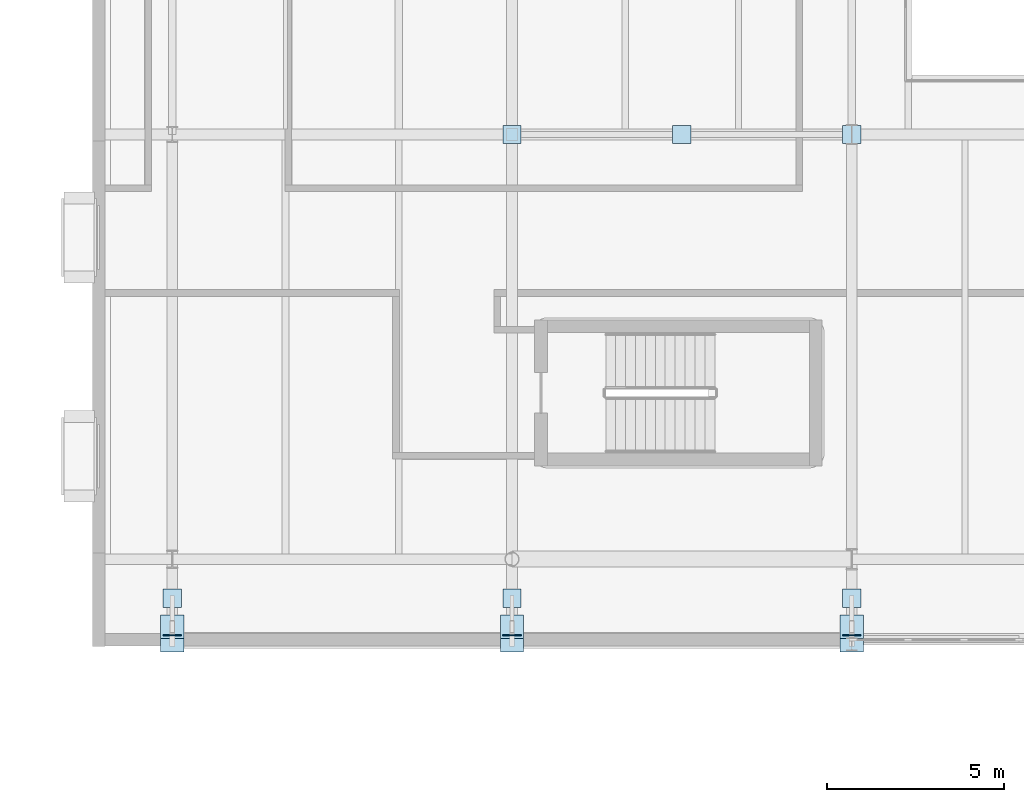
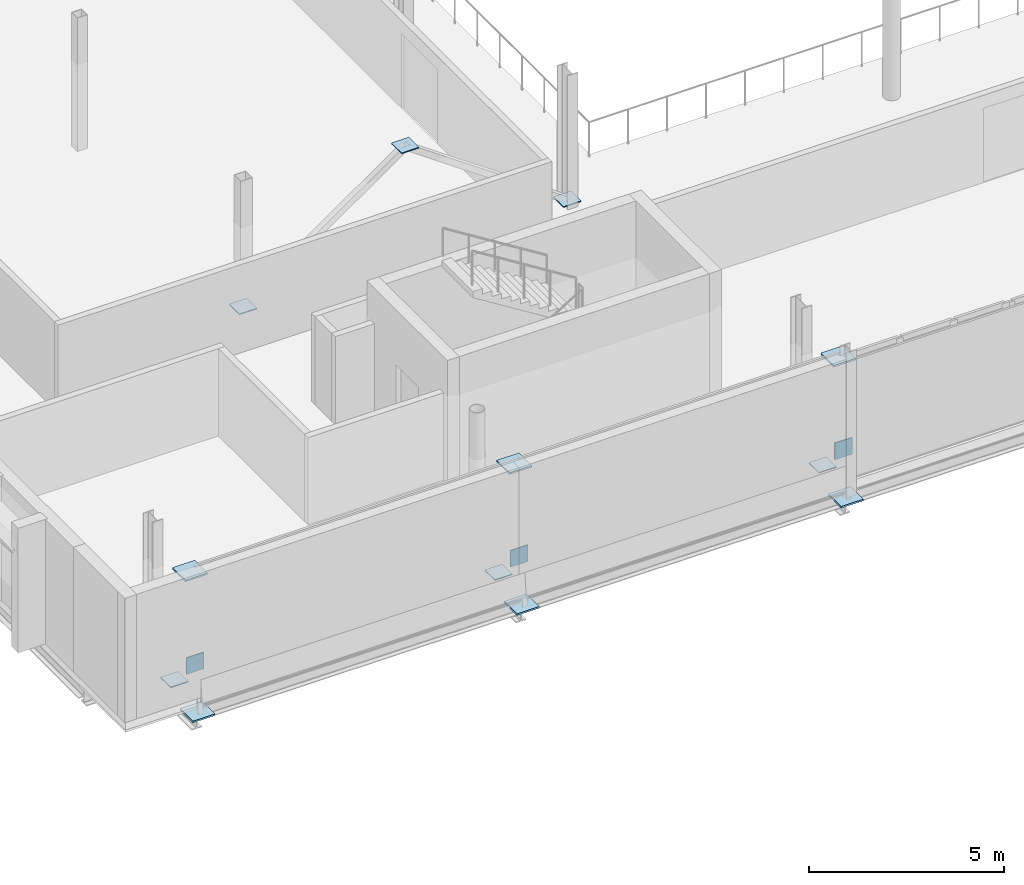
# One storey, part 48 of 90: 15 plates.
"""IFC4 building model written with IfcOpenShell, lengths in metres."""

from ifc_helpers import new_model, si_unit, direction, frame, origin, origin_2d, place, context, subcontext, project, spatial, rectangle, extrude, material, layer, layer_set, type_object, element, save


model = new_model("IFC4")

# Units and contexts
model_context = context("Model", 3, precision=1e-05, world=origin(), true_north=direction((0.0, 1.0)))
body_context = subcontext(model_context, "Body", "Model", "MODEL_VIEW")
ifc_project = project(units=[si_unit("LENGTHUNIT", "METRE"), si_unit("AREAUNIT", "SQUARE_METRE"), si_unit("VOLUMEUNIT", "CUBIC_METRE"), si_unit("PLANEANGLEUNIT", "RADIAN"), si_unit("MASSUNIT", "GRAM", prefix="KILO")], contexts=[model_context])

# Site, building, storey
site_placement = place(None, origin())
site = spatial("IfcSite", under=ifc_project, at=site_placement, CompositionType="ELEMENT")
building_placement = place(site_placement, origin())
building = spatial("IfcBuilding", under=site, at=building_placement, Name="Zereglee Splitstone Museum", CompositionType="ELEMENT")
storey_placement = place(building_placement, frame((0.0, 0.0, 4.800048828125)))
storey = spatial("IfcBuildingStorey", under=building, at=storey_placement, Name="L01", CompositionType="ELEMENT", Elevation=4.800048828125)

# Plates
ifc_material = material(Name="Steel S355J2", Category="steel")
ifc_layer_1 = layer(ifc_material, 0.030029296875)
ifc_layer_set_1 = layer_set([ifc_layer_1], Name="Steel S355J2")
plate_type_1 = type_object("IfcPlateType", Name="NP-04", PredefinedType="SHEET", material=ifc_layer_set_1)
for number, where, z_axis, x_axis, name in (
    (1, (87.60009765625, 21.60009765625, 0.10498046875), (0.0, 0.0, 1.0), (1.0, 0.0, 0.0), "CBF Brace Gusset Cap L01-006"),
    (2, (97.199951171875, 21.60009765625, 0.10498046875), (0.0, 0.0, 1.0), (1.0, 0.0, 0.0), "CBF Brace Gusset Cap L01-006"),
    (3, (92.39990234375, 21.60009765625, 3.46484375), (0.0, 0.0, 1.0), (1.0, 0.0, 0.0), "CBF Brace Gusset Cap L01-006"),
    (4, (78.0, 8.5, -0.27490234375), (0.0, 0.0, 1.0), (1.0, 0.0, 0.0), "Facet Tie Seal Plate FH-V2SW"),
):
    element("IfcPlate", number, at=place(storey_placement, frame(where, z_axis=z_axis, x_axis=x_axis)), inside=storey, type_object=plate_type_1, Name=name, PredefinedType="SHEET", context=body_context, shape_type="SweptSolid", body=[
        extrude(rectangle(XDim=0.52001953125, YDim=0.52001953125, at=origin_2d()), origin(), (0.0, 0.0, 1.0), 0.030029296875),
    ])
plate_1_placement = place(storey_placement, frame((78.0, 7.44580078125, 0.639892578125), z_axis=(0.0, 0.0, 1.0), x_axis=(1.0, 0.0, 0.0)))
element("IfcPlate", 5, at=plate_1_placement, inside=storey, type_object=plate_type_1, Name="Facet Tie Seal Plate FH-V2SW", PredefinedType="SHEET", context=body_context, shape_type="SweptSolid", body=[
    extrude(rectangle(XDim=0.52001953125, YDim=0.030029296875, at=origin_2d()), origin(), (0.0, 0.0, 1.0), 0.52001953125),
])
plate_2_placement = place(storey_placement, frame((87.60009765625, 8.5, -0.27490234375), z_axis=(0.0, 0.0, 1.0), x_axis=(1.0, 0.0, 0.0)))
element("IfcPlate", 6, at=plate_2_placement, inside=storey, type_object=plate_type_1, Name="Facet Tie Seal Plate FH-V2SW", PredefinedType="SHEET", context=body_context, shape_type="SweptSolid", body=[
    extrude(rectangle(XDim=0.52001953125, YDim=0.52001953125, at=origin_2d()), origin(), (0.0, 0.0, 1.0), 0.030029296875),
])
plate_3_placement = place(storey_placement, frame((87.60009765625, 7.44580078125, 0.639892578125), z_axis=(0.0, 0.0, 1.0), x_axis=(1.0, 0.0, 0.0)))
element("IfcPlate", 7, at=plate_3_placement, inside=storey, type_object=plate_type_1, Name="Facet Tie Seal Plate FH-V2SW", PredefinedType="SHEET", context=body_context, shape_type="SweptSolid", body=[
    extrude(rectangle(XDim=0.52001953125, YDim=0.030029296875, at=origin_2d()), origin(), (0.0, 0.0, 1.0), 0.52001953125),
])
plate_4_placement = place(storey_placement, frame((97.199951171875, 8.5, -0.27490234375), z_axis=(0.0, 0.0, 1.0), x_axis=(1.0, 0.0, 0.0)))
element("IfcPlate", 8, at=plate_4_placement, inside=storey, type_object=plate_type_1, Name="Facet Tie Seal Plate FH-V2SW", PredefinedType="SHEET", context=body_context, shape_type="SweptSolid", body=[
    extrude(rectangle(XDim=0.52001953125, YDim=0.52001953125, at=origin_2d()), origin(), (0.0, 0.0, 1.0), 0.030029296875),
])
plate_5_placement = place(storey_placement, frame((97.199951171875, 7.44580078125, 0.639892578125), z_axis=(0.0, 0.0, 1.0), x_axis=(1.0, 0.0, 0.0)))
element("IfcPlate", 9, at=plate_5_placement, inside=storey, type_object=plate_type_1, Name="Facet Tie Seal Plate FH-V2SW", PredefinedType="SHEET", context=body_context, shape_type="SweptSolid", body=[
    extrude(rectangle(XDim=0.52001953125, YDim=0.030029296875, at=origin_2d()), origin(), (0.0, 0.0, 1.0), 0.52001953125),
])
ifc_layer_2 = layer(ifc_material, 0.050048828125)
ifc_layer_set_2 = layer_set([ifc_layer_2], Name="Steel S355J2")
plate_type_2 = type_object("IfcPlateType", Name="NP-02", PredefinedType="SHEET", material=ifc_layer_set_2)
for number, where, z_axis, x_axis, name in (
    (10, (78.0, 7.3134765625, -0.5751953125), (0.0, 0.0, 1.0), (1.0, 0.0, 0.0), "Facet Strut Seal Plate FH-V2SW"),
    (11, (78.0, 7.695068359375, 3.60498046875), (0.0, 0.0, 1.0), (1.0, 0.0, 0.0), "Facet Strut Seal Plate FH-V2SW"),
    (12, (87.60009765625, 7.3134765625, -0.5751953125), (0.0, 0.0, 1.0), (1.0, 0.0, 0.0), "Facet Strut Seal Plate FH-V2SW"),
    (13, (87.60009765625, 7.695068359375, 3.60498046875), (0.0, 0.0, 1.0), (1.0, 0.0, 0.0), "Facet Strut Seal Plate FH-V2SW"),
    (14, (97.199951171875, 7.3134765625, -0.5751953125), (0.0, 0.0, 1.0), (1.0, 0.0, 0.0), "Facet Strut Seal Plate FH-V2SW"),
    (15, (97.199951171875, 7.695068359375, 3.60498046875), (0.0, 0.0, 1.0), (1.0, 0.0, 0.0), "Facet Strut Seal Plate FH-V2SW"),
):
    element("IfcPlate", number, at=place(storey_placement, frame(where, z_axis=z_axis, x_axis=x_axis)), inside=storey, type_object=plate_type_2, Name=name, PredefinedType="SHEET", context=body_context, shape_type="SweptSolid", body=[
        extrude(rectangle(XDim=0.659912109375, YDim=0.659912109375, at=origin_2d()), origin(), (0.0, 0.0, 1.0), 0.050048828125),
    ])

save(model, "model.ifc")
